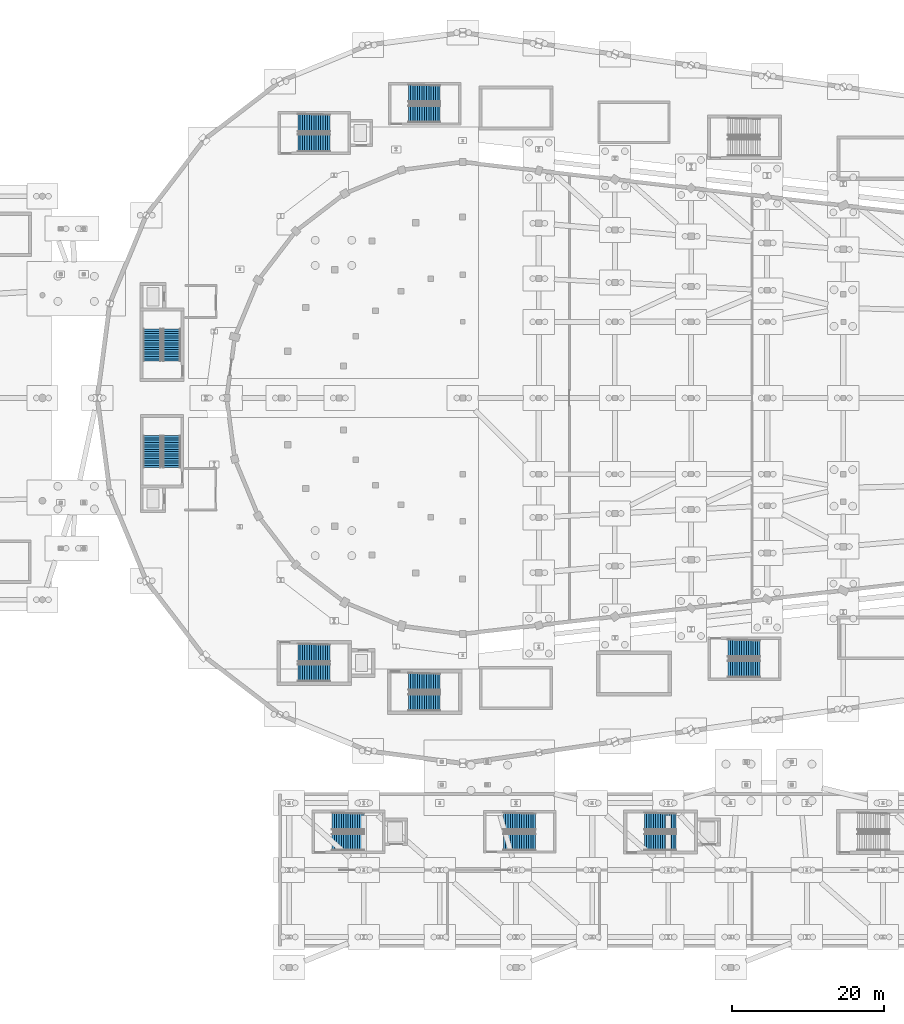
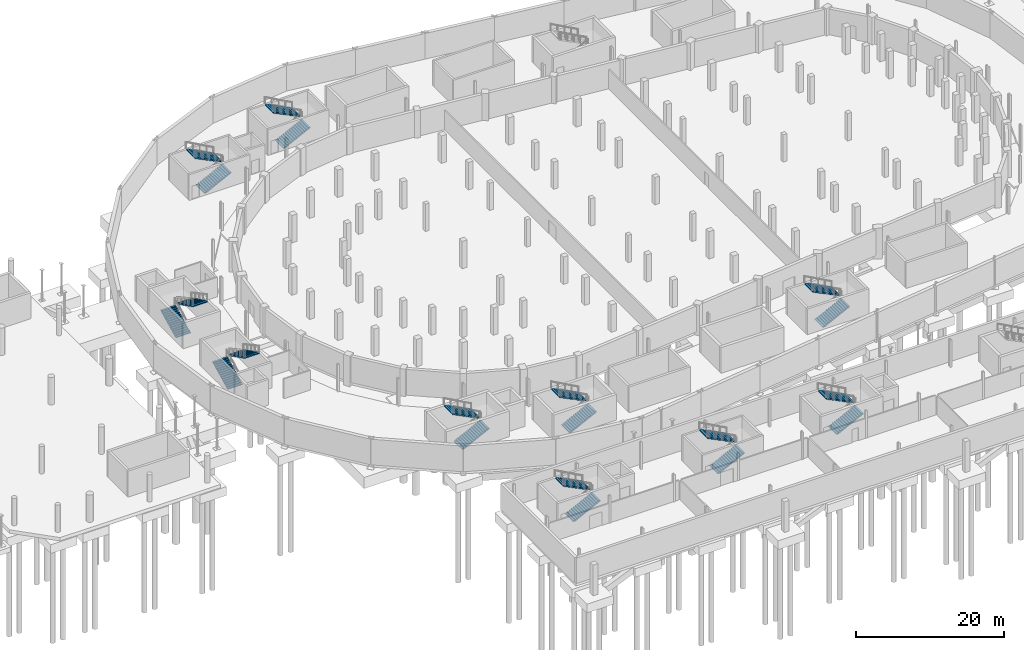
# One storey, part 51 of 55: 20 stair flights, 10 elements without a shape of their own.
"""IFC4 building model written with IfcOpenShell, lengths in metres."""

from ifc_helpers import new_model, si_unit, direction, frame, origin, place, context, subcontext, project, spatial, polyline, outline, extrude, material, type_object, element, aggregate, save


model = new_model("IFC4")

# Units and contexts
model_context = context("Model", 3, precision=1e-05, world=origin(), true_north=direction((0.0, 1.0)))
body_context = subcontext(model_context, "Body", "Model", "MODEL_VIEW")
ifc_project = project(units=[si_unit("LENGTHUNIT", "METRE"), si_unit("AREAUNIT", "SQUARE_METRE"), si_unit("VOLUMEUNIT", "CUBIC_METRE"), si_unit("PLANEANGLEUNIT", "RADIAN"), si_unit("MASSUNIT", "GRAM", prefix="KILO")], contexts=[model_context])

# Site, building, storey
site_placement = place(None, origin())
site = spatial("IfcSite", under=ifc_project, at=site_placement, CompositionType="ELEMENT")
building_placement = place(site_placement, origin())
building = spatial("IfcBuilding", under=site, at=building_placement, Name="Sohan Crest Arena", CompositionType="ELEMENT")
storey_placement = place(building_placement, frame((0.0, 0.0, -4.5)))
storey = spatial("IfcBuildingStorey", under=building, at=storey_placement, Name="B1", CompositionType="ELEMENT", Elevation=-4.5)

# Stair, stair flights
ifc_material = material(Name="Concrete C40/50", Category="concrete")
stair_type_1 = type_object("IfcStairType", Name="ST-450W", PredefinedType="TWO_STRAIGHT_RUN_STAIR", material=ifc_material)
stair_1_placement = place(storey_placement, origin())
stair_1 = element("IfcStair", 1, at=stair_1_placement, inside=storey, type_object=stair_type_1, Name="Protected exit stair ST12-B1", PredefinedType="TWO_STRAIGHT_RUN_STAIR")
stair_flight_type_1 = type_object("IfcStairFlightType", Name="FL-220-15", PredefinedType="STRAIGHT", material=ifc_material)
stair_flight_1_placement = place(storey_placement, frame((103.35009765625, 19.64990234375, 0.0), z_axis=(0.0, 0.0, 1.0), x_axis=(1.0, 0.0, 0.0)))
stair_flight_1 = element("IfcStairFlight", 2, at=stair_flight_1_placement, type_object=stair_flight_type_1, Name="ST12-B1 flight 1", NumberOfRisers=15, NumberOfTreads=14, PredefinedType="STRAIGHT", RiserHeight=0.15, TreadLength=0.3, context=body_context, shape_type="SweptSolid", body=[
    extrude(outline(polyline([(0.0, 0.0), (0.0, 0.14990234375), (0.300048828125, 0.14990234375), (0.300048828125, 0.300048828125), (0.60009765625, 0.300048828125), (0.60009765625, 0.449951171875), (0.89990234375, 0.449951171875), (0.89990234375, 0.60009765625), (1.199951171875, 0.60009765625), (1.199951171875, 0.75), (1.5, 0.75), (1.5, 0.89990234375), (1.800048828125, 0.89990234375), (1.800048828125, 1.050048828125), (2.10009765625, 1.050048828125), (2.10009765625, 1.199951171875), (2.39990234375, 1.199951171875), (2.39990234375, 1.35009765625), (2.699951171875, 1.35009765625), (2.699951171875, 1.5), (3.0, 1.5), (3.0, 1.64990234375), (3.300048828125, 1.64990234375), (3.300048828125, 1.800048828125), (3.60009765625, 1.800048828125), (3.60009765625, 1.949951171875), (3.89990234375, 1.949951171875), (3.89990234375, 2.10009765625), (4.199951171875, 2.10009765625), (4.199951171875, 2.25), (4.199951171875, 1.932373046875), (0.335205078125, 0.0), (0.0, 0.0)])), frame((0.0, 1.10009765625, 0.0), z_axis=(0.0, -1.0, 0.0), x_axis=(1.0, 0.0, 0.0)), (0.0, 0.0, 1.0), 2.199951171875),
])
stair_flight_2_placement = place(storey_placement, frame((107.550048828125, 22.35009765625, 2.25), z_axis=(0.0, 0.0, 1.0), x_axis=(-1.0, 0.0, 0.0)))
stair_flight_2 = element("IfcStairFlight", 3, at=stair_flight_2_placement, type_object=stair_flight_type_1, Name="ST12-B1 flight 2", NumberOfRisers=15, NumberOfTreads=14, PredefinedType="STRAIGHT", RiserHeight=0.15, TreadLength=0.3, context=body_context, shape_type="SweptSolid", body=[
    extrude(outline(polyline([(0.0, 0.0), (0.0, 0.14990234375), (0.300048828125, 0.14990234375), (0.300048828125, 0.300048828125), (0.60009765625, 0.300048828125), (0.60009765625, 0.449951171875), (0.89990234375, 0.449951171875), (0.89990234375, 0.60009765625), (1.199951171875, 0.60009765625), (1.199951171875, 0.75), (1.5, 0.75), (1.5, 0.89990234375), (1.800048828125, 0.89990234375), (1.800048828125, 1.050048828125), (2.10009765625, 1.050048828125), (2.10009765625, 1.199951171875), (2.39990234375, 1.199951171875), (2.39990234375, 1.35009765625), (2.699951171875, 1.35009765625), (2.699951171875, 1.5), (3.0, 1.5), (3.0, 1.64990234375), (3.300048828125, 1.64990234375), (3.300048828125, 1.800048828125), (3.60009765625, 1.800048828125), (3.60009765625, 1.949951171875), (3.89990234375, 1.949951171875), (3.89990234375, 2.10009765625), (4.199951171875, 2.10009765625), (4.199951171875, 2.25), (4.199951171875, 1.932373046875), (0.335205078125, 0.0), (0.0, 0.0)])), frame((0.0, 1.10009765625, 0.0), z_axis=(0.0, -1.0, 0.0), x_axis=(1.0, 0.0, 0.0)), (0.0, 0.0, 1.0), 2.199951171875),
])
aggregate(stair_1, [stair_flight_1, stair_flight_2])

stair_2_placement = place(storey_placement, origin())
stair_2 = element("IfcStair", 4, at=stair_2_placement, inside=storey, type_object=stair_type_1, Name="Protected exit stair ST17-B1", PredefinedType="TWO_STRAIGHT_RUN_STAIR")
stair_flight_3_placement = place(storey_placement, frame((80.85009765625, 19.64990234375, 0.0), z_axis=(0.0, 0.0, 1.0), x_axis=(1.0, 0.0, 0.0)))
stair_flight_3 = element("IfcStairFlight", 5, at=stair_flight_3_placement, type_object=stair_flight_type_1, Name="ST17-B1 flight 1", NumberOfRisers=15, NumberOfTreads=14, PredefinedType="STRAIGHT", RiserHeight=0.15, TreadLength=0.3, context=body_context, shape_type="SweptSolid", body=[
    extrude(outline(polyline([(0.0, 0.0), (0.0, 0.14990234375), (0.300048828125, 0.14990234375), (0.300048828125, 0.300048828125), (0.60009765625, 0.300048828125), (0.60009765625, 0.449951171875), (0.89990234375, 0.449951171875), (0.89990234375, 0.60009765625), (1.199951171875, 0.60009765625), (1.199951171875, 0.75), (1.5, 0.75), (1.5, 0.89990234375), (1.800048828125, 0.89990234375), (1.800048828125, 1.050048828125), (2.10009765625, 1.050048828125), (2.10009765625, 1.199951171875), (2.39990234375, 1.199951171875), (2.39990234375, 1.35009765625), (2.699951171875, 1.35009765625), (2.699951171875, 1.5), (3.0, 1.5), (3.0, 1.64990234375), (3.300048828125, 1.64990234375), (3.300048828125, 1.800048828125), (3.60009765625, 1.800048828125), (3.60009765625, 1.949951171875), (3.89990234375, 1.949951171875), (3.89990234375, 2.10009765625), (4.199951171875, 2.10009765625), (4.199951171875, 2.25), (4.199951171875, 1.932373046875), (0.335205078125, 0.0), (0.0, 0.0)])), frame((0.0, 1.10009765625, 0.0), z_axis=(0.0, -1.0, 0.0), x_axis=(1.0, 0.0, 0.0)), (0.0, 0.0, 1.0), 2.199951171875),
])
stair_flight_4_placement = place(storey_placement, frame((85.050048828125, 22.35009765625, 2.25), z_axis=(0.0, 0.0, 1.0), x_axis=(-1.0, 0.0, 0.0)))
stair_flight_4 = element("IfcStairFlight", 6, at=stair_flight_4_placement, type_object=stair_flight_type_1, Name="ST17-B1 flight 2", NumberOfRisers=15, NumberOfTreads=14, PredefinedType="STRAIGHT", RiserHeight=0.15, TreadLength=0.3, context=body_context, shape_type="SweptSolid", body=[
    extrude(outline(polyline([(0.0, 0.0), (0.0, 0.14990234375), (0.300048828125, 0.14990234375), (0.300048828125, 0.300048828125), (0.60009765625, 0.300048828125), (0.60009765625, 0.449951171875), (0.89990234375, 0.449951171875), (0.89990234375, 0.60009765625), (1.199951171875, 0.60009765625), (1.199951171875, 0.75), (1.5, 0.75), (1.5, 0.89990234375), (1.800048828125, 0.89990234375), (1.800048828125, 1.050048828125), (2.10009765625, 1.050048828125), (2.10009765625, 1.199951171875), (2.39990234375, 1.199951171875), (2.39990234375, 1.35009765625), (2.699951171875, 1.35009765625), (2.699951171875, 1.5), (3.0, 1.5), (3.0, 1.64990234375), (3.300048828125, 1.64990234375), (3.300048828125, 1.800048828125), (3.60009765625, 1.800048828125), (3.60009765625, 1.949951171875), (3.89990234375, 1.949951171875), (3.89990234375, 2.10009765625), (4.199951171875, 2.10009765625), (4.199951171875, 2.25), (4.199951171875, 1.932373046875), (0.335205078125, 0.0), (0.0, 0.0)])), frame((0.0, 1.10009765625, 0.0), z_axis=(0.0, -1.0, 0.0), x_axis=(1.0, 0.0, 0.0)), (0.0, 0.0, 1.0), 2.199951171875),
])
aggregate(stair_2, [stair_flight_3, stair_flight_4])

stair_3_placement = place(storey_placement, origin())
stair_3 = element("IfcStair", 7, at=stair_3_placement, inside=storey, type_object=stair_type_1, Name="Protected exit stair ST18-B1", PredefinedType="TWO_STRAIGHT_RUN_STAIR")
stair_flight_5_placement = place(storey_placement, frame((121.85009765625, 19.64990234375, 0.0), z_axis=(0.0, 0.0, 1.0), x_axis=(1.0, 0.0, 0.0)))
stair_flight_5 = element("IfcStairFlight", 8, at=stair_flight_5_placement, type_object=stair_flight_type_1, Name="ST18-B1 flight 1", NumberOfRisers=15, NumberOfTreads=14, PredefinedType="STRAIGHT", RiserHeight=0.15, TreadLength=0.3, context=body_context, shape_type="SweptSolid", body=[
    extrude(outline(polyline([(0.0, 0.0), (0.0, 0.14990234375), (0.300048828125, 0.14990234375), (0.300048828125, 0.300048828125), (0.60009765625, 0.300048828125), (0.60009765625, 0.449951171875), (0.89990234375, 0.449951171875), (0.89990234375, 0.60009765625), (1.199951171875, 0.60009765625), (1.199951171875, 0.75), (1.5, 0.75), (1.5, 0.89990234375), (1.800048828125, 0.89990234375), (1.800048828125, 1.050048828125), (2.10009765625, 1.050048828125), (2.10009765625, 1.199951171875), (2.39990234375, 1.199951171875), (2.39990234375, 1.35009765625), (2.699951171875, 1.35009765625), (2.699951171875, 1.5), (3.0, 1.5), (3.0, 1.64990234375), (3.300048828125, 1.64990234375), (3.300048828125, 1.800048828125), (3.60009765625, 1.800048828125), (3.60009765625, 1.949951171875), (3.89990234375, 1.949951171875), (3.89990234375, 2.10009765625), (4.199951171875, 2.10009765625), (4.199951171875, 2.25), (4.199951171875, 1.932373046875), (0.335205078125, 0.0), (0.0, 0.0)])), frame((0.0, 1.10009765625, 0.0), z_axis=(0.0, -1.0, 0.0), x_axis=(1.0, 0.0, 0.0)), (0.0, 0.0, 1.0), 2.199951171875),
])
stair_flight_6_placement = place(storey_placement, frame((126.050048828125, 22.35009765625, 2.25), z_axis=(0.0, 0.0, 1.0), x_axis=(-1.0, 0.0, 0.0)))
stair_flight_6 = element("IfcStairFlight", 9, at=stair_flight_6_placement, type_object=stair_flight_type_1, Name="ST18-B1 flight 2", NumberOfRisers=15, NumberOfTreads=14, PredefinedType="STRAIGHT", RiserHeight=0.15, TreadLength=0.3, context=body_context, shape_type="SweptSolid", body=[
    extrude(outline(polyline([(0.0, 0.0), (0.0, 0.14990234375), (0.300048828125, 0.14990234375), (0.300048828125, 0.300048828125), (0.60009765625, 0.300048828125), (0.60009765625, 0.449951171875), (0.89990234375, 0.449951171875), (0.89990234375, 0.60009765625), (1.199951171875, 0.60009765625), (1.199951171875, 0.75), (1.5, 0.75), (1.5, 0.89990234375), (1.800048828125, 0.89990234375), (1.800048828125, 1.050048828125), (2.10009765625, 1.050048828125), (2.10009765625, 1.199951171875), (2.39990234375, 1.199951171875), (2.39990234375, 1.35009765625), (2.699951171875, 1.35009765625), (2.699951171875, 1.5), (3.0, 1.5), (3.0, 1.64990234375), (3.300048828125, 1.64990234375), (3.300048828125, 1.800048828125), (3.60009765625, 1.800048828125), (3.60009765625, 1.949951171875), (3.89990234375, 1.949951171875), (3.89990234375, 2.10009765625), (4.199951171875, 2.10009765625), (4.199951171875, 2.25), (4.199951171875, 1.932373046875), (0.335205078125, 0.0), (0.0, 0.0)])), frame((0.0, 1.10009765625, 0.0), z_axis=(0.0, -1.0, 0.0), x_axis=(1.0, 0.0, 0.0)), (0.0, 0.0, 1.0), 2.199951171875),
])
aggregate(stair_3, [stair_flight_5, stair_flight_6])

stair_4_placement = place(storey_placement, origin())
stair_4 = element("IfcStair", 10, at=stair_4_placement, inside=storey, type_object=stair_type_1, Name="Protected exit stair ST19-B1", PredefinedType="TWO_STRAIGHT_RUN_STAIR")
stair_flight_7_placement = place(storey_placement, frame((90.85009765625, 38.010009765625, 0.0), z_axis=(0.0, 0.0, 1.0), x_axis=(1.0, 0.0, 0.0)))
stair_flight_7 = element("IfcStairFlight", 11, at=stair_flight_7_placement, type_object=stair_flight_type_1, Name="ST19-B1 flight 1", NumberOfRisers=15, NumberOfTreads=14, PredefinedType="STRAIGHT", RiserHeight=0.15, TreadLength=0.3, context=body_context, shape_type="SweptSolid", body=[
    extrude(outline(polyline([(0.0, 0.0), (0.0, 0.14990234375), (0.300048828125, 0.14990234375), (0.300048828125, 0.300048828125), (0.60009765625, 0.300048828125), (0.60009765625, 0.449951171875), (0.89990234375, 0.449951171875), (0.89990234375, 0.60009765625), (1.199951171875, 0.60009765625), (1.199951171875, 0.75), (1.5, 0.75), (1.5, 0.89990234375), (1.800048828125, 0.89990234375), (1.800048828125, 1.050048828125), (2.10009765625, 1.050048828125), (2.10009765625, 1.199951171875), (2.39990234375, 1.199951171875), (2.39990234375, 1.35009765625), (2.699951171875, 1.35009765625), (2.699951171875, 1.5), (3.0, 1.5), (3.0, 1.64990234375), (3.300048828125, 1.64990234375), (3.300048828125, 1.800048828125), (3.60009765625, 1.800048828125), (3.60009765625, 1.949951171875), (3.89990234375, 1.949951171875), (3.89990234375, 2.10009765625), (4.199951171875, 2.10009765625), (4.199951171875, 2.25), (4.199951171875, 1.932373046875), (0.335205078125, 0.0), (0.0, 0.0)])), frame((0.0, 1.10009765625, 0.0), z_axis=(0.0, -1.0, 0.0), x_axis=(1.0, 0.0, 0.0)), (0.0, 0.0, 1.0), 2.199951171875),
])
stair_flight_8_placement = place(storey_placement, frame((95.050048828125, 40.7099609375, 2.25), z_axis=(0.0, 0.0, 1.0), x_axis=(-1.0, 0.0, 0.0)))
stair_flight_8 = element("IfcStairFlight", 12, at=stair_flight_8_placement, type_object=stair_flight_type_1, Name="ST19-B1 flight 2", NumberOfRisers=15, NumberOfTreads=14, PredefinedType="STRAIGHT", RiserHeight=0.15, TreadLength=0.3, context=body_context, shape_type="SweptSolid", body=[
    extrude(outline(polyline([(0.0, 0.0), (0.0, 0.14990234375), (0.300048828125, 0.14990234375), (0.300048828125, 0.300048828125), (0.60009765625, 0.300048828125), (0.60009765625, 0.449951171875), (0.89990234375, 0.449951171875), (0.89990234375, 0.60009765625), (1.199951171875, 0.60009765625), (1.199951171875, 0.75), (1.5, 0.75), (1.5, 0.89990234375), (1.800048828125, 0.89990234375), (1.800048828125, 1.050048828125), (2.10009765625, 1.050048828125), (2.10009765625, 1.199951171875), (2.39990234375, 1.199951171875), (2.39990234375, 1.35009765625), (2.699951171875, 1.35009765625), (2.699951171875, 1.5), (3.0, 1.5), (3.0, 1.64990234375), (3.300048828125, 1.64990234375), (3.300048828125, 1.800048828125), (3.60009765625, 1.800048828125), (3.60009765625, 1.949951171875), (3.89990234375, 1.949951171875), (3.89990234375, 2.10009765625), (4.199951171875, 2.10009765625), (4.199951171875, 2.25), (4.199951171875, 1.932373046875), (0.335205078125, 0.0), (0.0, 0.0)])), frame((0.0, 1.10009765625, 0.0), z_axis=(0.0, -1.0, 0.0), x_axis=(1.0, 0.0, 0.0)), (0.0, 0.0, 1.0), 2.199951171875),
])
aggregate(stair_4, [stair_flight_7, stair_flight_8])

stair_5_placement = place(storey_placement, origin())
stair_5 = element("IfcStair", 13, at=stair_5_placement, inside=storey, type_object=stair_type_1, Name="Protected exit stair ST20-B1", PredefinedType="TWO_STRAIGHT_RUN_STAIR")
stair_flight_9_placement = place(storey_placement, frame((90.85009765625, 115.2900390625, 0.0), z_axis=(0.0, 0.0, 1.0), x_axis=(1.0, 0.0, 0.0)))
stair_flight_9 = element("IfcStairFlight", 14, at=stair_flight_9_placement, type_object=stair_flight_type_1, Name="ST20-B1 flight 1", NumberOfRisers=15, NumberOfTreads=14, PredefinedType="STRAIGHT", RiserHeight=0.15, TreadLength=0.3, context=body_context, shape_type="SweptSolid", body=[
    extrude(outline(polyline([(0.0, 0.0), (0.0, 0.14990234375), (0.300048828125, 0.14990234375), (0.300048828125, 0.300048828125), (0.60009765625, 0.300048828125), (0.60009765625, 0.449951171875), (0.89990234375, 0.449951171875), (0.89990234375, 0.60009765625), (1.199951171875, 0.60009765625), (1.199951171875, 0.75), (1.5, 0.75), (1.5, 0.89990234375), (1.800048828125, 0.89990234375), (1.800048828125, 1.050048828125), (2.10009765625, 1.050048828125), (2.10009765625, 1.199951171875), (2.39990234375, 1.199951171875), (2.39990234375, 1.35009765625), (2.699951171875, 1.35009765625), (2.699951171875, 1.5), (3.0, 1.5), (3.0, 1.64990234375), (3.300048828125, 1.64990234375), (3.300048828125, 1.800048828125), (3.60009765625, 1.800048828125), (3.60009765625, 1.949951171875), (3.89990234375, 1.949951171875), (3.89990234375, 2.10009765625), (4.199951171875, 2.10009765625), (4.199951171875, 2.25), (4.199951171875, 1.932373046875), (0.335205078125, 0.0), (0.0, 0.0)])), frame((0.0, 1.10009765625, 0.0), z_axis=(0.0, -1.0, 0.0), x_axis=(1.0, 0.0, 0.0)), (0.0, 0.0, 1.0), 2.199951171875),
])
stair_flight_10_placement = place(storey_placement, frame((95.050048828125, 117.989990234375, 2.25), z_axis=(0.0, 0.0, 1.0), x_axis=(-1.0, 0.0, 0.0)))
stair_flight_10 = element("IfcStairFlight", 15, at=stair_flight_10_placement, type_object=stair_flight_type_1, Name="ST20-B1 flight 2", NumberOfRisers=15, NumberOfTreads=14, PredefinedType="STRAIGHT", RiserHeight=0.15, TreadLength=0.3, context=body_context, shape_type="SweptSolid", body=[
    extrude(outline(polyline([(0.0, 0.0), (0.0, 0.14990234375), (0.300048828125, 0.14990234375), (0.300048828125, 0.300048828125), (0.60009765625, 0.300048828125), (0.60009765625, 0.449951171875), (0.89990234375, 0.449951171875), (0.89990234375, 0.60009765625), (1.199951171875, 0.60009765625), (1.199951171875, 0.75), (1.5, 0.75), (1.5, 0.89990234375), (1.800048828125, 0.89990234375), (1.800048828125, 1.050048828125), (2.10009765625, 1.050048828125), (2.10009765625, 1.199951171875), (2.39990234375, 1.199951171875), (2.39990234375, 1.35009765625), (2.699951171875, 1.35009765625), (2.699951171875, 1.5), (3.0, 1.5), (3.0, 1.64990234375), (3.300048828125, 1.64990234375), (3.300048828125, 1.800048828125), (3.60009765625, 1.800048828125), (3.60009765625, 1.949951171875), (3.89990234375, 1.949951171875), (3.89990234375, 2.10009765625), (4.199951171875, 2.10009765625), (4.199951171875, 2.25), (4.199951171875, 1.932373046875), (0.335205078125, 0.0), (0.0, 0.0)])), frame((0.0, 1.10009765625, 0.0), z_axis=(0.0, -1.0, 0.0), x_axis=(1.0, 0.0, 0.0)), (0.0, 0.0, 1.0), 2.199951171875),
])
aggregate(stair_5, [stair_flight_9, stair_flight_10])

stair_6_placement = place(storey_placement, origin())
stair_6 = element("IfcStair", 16, at=stair_6_placement, inside=storey, type_object=stair_type_1, Name="Protected exit stair ST21-B1", PredefinedType="TWO_STRAIGHT_RUN_STAIR")
stair_flight_11_placement = place(storey_placement, frame((132.85009765625, 42.39990234375, 0.0), z_axis=(0.0, 0.0, 1.0), x_axis=(1.0, 0.0, 0.0)))
stair_flight_11 = element("IfcStairFlight", 17, at=stair_flight_11_placement, type_object=stair_flight_type_1, Name="ST21-B1 flight 1", NumberOfRisers=15, NumberOfTreads=14, PredefinedType="STRAIGHT", RiserHeight=0.15, TreadLength=0.3, context=body_context, shape_type="SweptSolid", body=[
    extrude(outline(polyline([(0.0, 0.0), (0.0, 0.14990234375), (0.300048828125, 0.14990234375), (0.300048828125, 0.300048828125), (0.60009765625, 0.300048828125), (0.60009765625, 0.449951171875), (0.89990234375, 0.449951171875), (0.89990234375, 0.60009765625), (1.199951171875, 0.60009765625), (1.199951171875, 0.75), (1.5, 0.75), (1.5, 0.89990234375), (1.800048828125, 0.89990234375), (1.800048828125, 1.050048828125), (2.10009765625, 1.050048828125), (2.10009765625, 1.199951171875), (2.39990234375, 1.199951171875), (2.39990234375, 1.35009765625), (2.699951171875, 1.35009765625), (2.699951171875, 1.5), (3.0, 1.5), (3.0, 1.64990234375), (3.300048828125, 1.64990234375), (3.300048828125, 1.800048828125), (3.60009765625, 1.800048828125), (3.60009765625, 1.949951171875), (3.89990234375, 1.949951171875), (3.89990234375, 2.10009765625), (4.199951171875, 2.10009765625), (4.199951171875, 2.25), (4.199951171875, 1.932373046875), (0.335205078125, 0.0), (0.0, 0.0)])), frame((0.0, 1.10009765625, 0.0), z_axis=(0.0, -1.0, 0.0), x_axis=(1.0, 0.0, 0.0)), (0.0, 0.0, 1.0), 2.199951171875),
])
stair_flight_12_placement = place(storey_placement, frame((137.050048828125, 45.10009765625, 2.25), z_axis=(0.0, 0.0, 1.0), x_axis=(-1.0, 0.0, 0.0)))
stair_flight_12 = element("IfcStairFlight", 18, at=stair_flight_12_placement, type_object=stair_flight_type_1, Name="ST21-B1 flight 2", NumberOfRisers=15, NumberOfTreads=14, PredefinedType="STRAIGHT", RiserHeight=0.15, TreadLength=0.3, context=body_context, shape_type="SweptSolid", body=[
    extrude(outline(polyline([(0.0, 0.0), (0.0, 0.14990234375), (0.300048828125, 0.14990234375), (0.300048828125, 0.300048828125), (0.60009765625, 0.300048828125), (0.60009765625, 0.449951171875), (0.89990234375, 0.449951171875), (0.89990234375, 0.60009765625), (1.199951171875, 0.60009765625), (1.199951171875, 0.75), (1.5, 0.75), (1.5, 0.89990234375), (1.800048828125, 0.89990234375), (1.800048828125, 1.050048828125), (2.10009765625, 1.050048828125), (2.10009765625, 1.199951171875), (2.39990234375, 1.199951171875), (2.39990234375, 1.35009765625), (2.699951171875, 1.35009765625), (2.699951171875, 1.5), (3.0, 1.5), (3.0, 1.64990234375), (3.300048828125, 1.64990234375), (3.300048828125, 1.800048828125), (3.60009765625, 1.800048828125), (3.60009765625, 1.949951171875), (3.89990234375, 1.949951171875), (3.89990234375, 2.10009765625), (4.199951171875, 2.10009765625), (4.199951171875, 2.25), (4.199951171875, 1.932373046875), (0.335205078125, 0.0), (0.0, 0.0)])), frame((0.0, 1.10009765625, 0.0), z_axis=(0.0, -1.0, 0.0), x_axis=(1.0, 0.0, 0.0)), (0.0, 0.0, 1.0), 2.199951171875),
])
aggregate(stair_6, [stair_flight_11, stair_flight_12])

stair_type_2 = type_object("IfcStairType", Name="ST-450", PredefinedType="TWO_STRAIGHT_RUN_STAIR", material=ifc_material)
stair_7_placement = place(storey_placement, origin())
stair_7 = element("IfcStair", 19, at=stair_7_placement, inside=storey, type_object=stair_type_2, Name="Protected exit stair ST01-B1", PredefinedType="TWO_STRAIGHT_RUN_STAIR")
stair_flight_type_2 = type_object("IfcStairFlightType", Name="FL-260-15", PredefinedType="STRAIGHT", material=ifc_material)
stair_flight_13_placement = place(storey_placement, frame((57.199951171875, 68.85009765625, 0.0), z_axis=(0.0, 0.0, 1.0), x_axis=(0.0, 1.0, 0.0)))
stair_flight_13 = element("IfcStairFlight", 20, at=stair_flight_13_placement, type_object=stair_flight_type_2, Name="ST01-B1 flight 1", NumberOfRisers=15, NumberOfTreads=14, PredefinedType="STRAIGHT", RiserHeight=0.15, TreadLength=0.3, context=body_context, shape_type="SweptSolid", body=[
    extrude(outline(polyline([(0.0, 0.0), (0.0, 0.14990234375), (0.300048828125, 0.14990234375), (0.300048828125, 0.300048828125), (0.60009765625, 0.300048828125), (0.60009765625, 0.449951171875), (0.89990234375, 0.449951171875), (0.89990234375, 0.60009765625), (1.199951171875, 0.60009765625), (1.199951171875, 0.75), (1.5, 0.75), (1.5, 0.89990234375), (1.800048828125, 0.89990234375), (1.800048828125, 1.050048828125), (2.10009765625, 1.050048828125), (2.10009765625, 1.199951171875), (2.39990234375, 1.199951171875), (2.39990234375, 1.35009765625), (2.699951171875, 1.35009765625), (2.699951171875, 1.5), (3.0, 1.5), (3.0, 1.64990234375), (3.300048828125, 1.64990234375), (3.300048828125, 1.800048828125), (3.60009765625, 1.800048828125), (3.60009765625, 1.949951171875), (3.89990234375, 1.949951171875), (3.89990234375, 2.10009765625), (4.199951171875, 2.10009765625), (4.199951171875, 2.25), (4.199951171875, 1.932373046875), (0.335205078125, 0.0), (0.0, 0.0)])), frame((0.0, 1.14990234375, 0.0), z_axis=(0.0, -1.0, 0.0), x_axis=(1.0, 0.0, 0.0)), (0.0, 0.0, 1.0), 2.300048828125),
])
stair_flight_14_placement = place(storey_placement, frame((59.800048828125, 73.050048828125, 2.25), z_axis=(0.0, 0.0, 1.0), x_axis=(0.0, -1.0, 0.0)))
stair_flight_14 = element("IfcStairFlight", 21, at=stair_flight_14_placement, type_object=stair_flight_type_2, Name="ST01-B1 flight 2", NumberOfRisers=15, NumberOfTreads=14, PredefinedType="STRAIGHT", RiserHeight=0.15, TreadLength=0.3, context=body_context, shape_type="SweptSolid", body=[
    extrude(outline(polyline([(0.0, 0.0), (0.0, 0.14990234375), (0.300048828125, 0.14990234375), (0.300048828125, 0.300048828125), (0.60009765625, 0.300048828125), (0.60009765625, 0.449951171875), (0.89990234375, 0.449951171875), (0.89990234375, 0.60009765625), (1.199951171875, 0.60009765625), (1.199951171875, 0.75), (1.5, 0.75), (1.5, 0.89990234375), (1.800048828125, 0.89990234375), (1.800048828125, 1.050048828125), (2.10009765625, 1.050048828125), (2.10009765625, 1.199951171875), (2.39990234375, 1.199951171875), (2.39990234375, 1.35009765625), (2.699951171875, 1.35009765625), (2.699951171875, 1.5), (3.0, 1.5), (3.0, 1.64990234375), (3.300048828125, 1.64990234375), (3.300048828125, 1.800048828125), (3.60009765625, 1.800048828125), (3.60009765625, 1.949951171875), (3.89990234375, 1.949951171875), (3.89990234375, 2.10009765625), (4.199951171875, 2.10009765625), (4.199951171875, 2.25), (4.199951171875, 1.932373046875), (0.335205078125, 0.0), (0.0, 0.0)])), frame((0.0, 1.14990234375, 0.0), z_axis=(0.0, -1.0, 0.0), x_axis=(1.0, 0.0, 0.0)), (0.0, 0.0, 1.0), 2.300048828125),
])
aggregate(stair_7, [stair_flight_13, stair_flight_14])

stair_8_placement = place(storey_placement, origin())
stair_8 = element("IfcStair", 22, at=stair_8_placement, inside=storey, type_object=stair_type_2, Name="Protected exit stair ST02-B1", PredefinedType="TWO_STRAIGHT_RUN_STAIR")
stair_flight_15_placement = place(storey_placement, frame((57.199951171875, 82.85009765625, 0.0), z_axis=(0.0, 0.0, 1.0), x_axis=(0.0, 1.0, 0.0)))
stair_flight_15 = element("IfcStairFlight", 23, at=stair_flight_15_placement, type_object=stair_flight_type_2, Name="ST02-B1 flight 1", NumberOfRisers=15, NumberOfTreads=14, PredefinedType="STRAIGHT", RiserHeight=0.15, TreadLength=0.3, context=body_context, shape_type="SweptSolid", body=[
    extrude(outline(polyline([(0.0, 0.0), (0.0, 0.14990234375), (0.300048828125, 0.14990234375), (0.300048828125, 0.300048828125), (0.60009765625, 0.300048828125), (0.60009765625, 0.449951171875), (0.89990234375, 0.449951171875), (0.89990234375, 0.60009765625), (1.199951171875, 0.60009765625), (1.199951171875, 0.75), (1.5, 0.75), (1.5, 0.89990234375), (1.800048828125, 0.89990234375), (1.800048828125, 1.050048828125), (2.10009765625, 1.050048828125), (2.10009765625, 1.199951171875), (2.39990234375, 1.199951171875), (2.39990234375, 1.35009765625), (2.699951171875, 1.35009765625), (2.699951171875, 1.5), (3.0, 1.5), (3.0, 1.64990234375), (3.300048828125, 1.64990234375), (3.300048828125, 1.800048828125), (3.60009765625, 1.800048828125), (3.60009765625, 1.949951171875), (3.89990234375, 1.949951171875), (3.89990234375, 2.10009765625), (4.199951171875, 2.10009765625), (4.199951171875, 2.25), (4.199951171875, 1.932373046875), (0.335205078125, 0.0), (0.0, 0.0)])), frame((0.0, 1.14990234375, 0.0), z_axis=(0.0, -1.0, 0.0), x_axis=(1.0, 0.0, 0.0)), (0.0, 0.0, 1.0), 2.300048828125),
])
stair_flight_16_placement = place(storey_placement, frame((59.800048828125, 87.050048828125, 2.25), z_axis=(0.0, 0.0, 1.0), x_axis=(0.0, -1.0, 0.0)))
stair_flight_16 = element("IfcStairFlight", 24, at=stair_flight_16_placement, type_object=stair_flight_type_2, Name="ST02-B1 flight 2", NumberOfRisers=15, NumberOfTreads=14, PredefinedType="STRAIGHT", RiserHeight=0.15, TreadLength=0.3, context=body_context, shape_type="SweptSolid", body=[
    extrude(outline(polyline([(0.0, 0.0), (0.0, 0.14990234375), (0.300048828125, 0.14990234375), (0.300048828125, 0.300048828125), (0.60009765625, 0.300048828125), (0.60009765625, 0.449951171875), (0.89990234375, 0.449951171875), (0.89990234375, 0.60009765625), (1.199951171875, 0.60009765625), (1.199951171875, 0.75), (1.5, 0.75), (1.5, 0.89990234375), (1.800048828125, 0.89990234375), (1.800048828125, 1.050048828125), (2.10009765625, 1.050048828125), (2.10009765625, 1.199951171875), (2.39990234375, 1.199951171875), (2.39990234375, 1.35009765625), (2.699951171875, 1.35009765625), (2.699951171875, 1.5), (3.0, 1.5), (3.0, 1.64990234375), (3.300048828125, 1.64990234375), (3.300048828125, 1.800048828125), (3.60009765625, 1.800048828125), (3.60009765625, 1.949951171875), (3.89990234375, 1.949951171875), (3.89990234375, 2.10009765625), (4.199951171875, 2.10009765625), (4.199951171875, 2.25), (4.199951171875, 1.932373046875), (0.335205078125, 0.0), (0.0, 0.0)])), frame((0.0, 1.14990234375, 0.0), z_axis=(0.0, -1.0, 0.0), x_axis=(1.0, 0.0, 0.0)), (0.0, 0.0, 1.0), 2.300048828125),
])
aggregate(stair_8, [stair_flight_15, stair_flight_16])

stair_9_placement = place(storey_placement, origin())
stair_9 = element("IfcStair", 25, at=stair_9_placement, inside=storey, type_object=stair_type_2, Name="Protected exit stair ST03-B1", PredefinedType="TWO_STRAIGHT_RUN_STAIR")
stair_flight_17_placement = place(storey_placement, frame((76.35009765625, 41.89990234375, 0.0), z_axis=(0.0, 0.0, 1.0), x_axis=(1.0, 0.0, 0.0)))
stair_flight_17 = element("IfcStairFlight", 26, at=stair_flight_17_placement, type_object=stair_flight_type_2, Name="ST03-B1 flight 1", NumberOfRisers=15, NumberOfTreads=14, PredefinedType="STRAIGHT", RiserHeight=0.15, TreadLength=0.3, context=body_context, shape_type="SweptSolid", body=[
    extrude(outline(polyline([(0.0, 0.0), (0.0, 0.14990234375), (0.300048828125, 0.14990234375), (0.300048828125, 0.300048828125), (0.60009765625, 0.300048828125), (0.60009765625, 0.449951171875), (0.89990234375, 0.449951171875), (0.89990234375, 0.60009765625), (1.199951171875, 0.60009765625), (1.199951171875, 0.75), (1.5, 0.75), (1.5, 0.89990234375), (1.800048828125, 0.89990234375), (1.800048828125, 1.050048828125), (2.10009765625, 1.050048828125), (2.10009765625, 1.199951171875), (2.39990234375, 1.199951171875), (2.39990234375, 1.35009765625), (2.699951171875, 1.35009765625), (2.699951171875, 1.5), (3.0, 1.5), (3.0, 1.64990234375), (3.300048828125, 1.64990234375), (3.300048828125, 1.800048828125), (3.60009765625, 1.800048828125), (3.60009765625, 1.949951171875), (3.89990234375, 1.949951171875), (3.89990234375, 2.10009765625), (4.199951171875, 2.10009765625), (4.199951171875, 2.25), (4.199951171875, 1.932373046875), (0.335205078125, 0.0), (0.0, 0.0)])), frame((0.0, 1.14990234375, 0.0), z_axis=(0.0, -1.0, 0.0), x_axis=(1.0, 0.0, 0.0)), (0.0, 0.0, 1.0), 2.300048828125),
])
stair_flight_18_placement = place(storey_placement, frame((80.550048828125, 44.5, 2.25), z_axis=(0.0, 0.0, 1.0), x_axis=(-1.0, 0.0, 0.0)))
stair_flight_18 = element("IfcStairFlight", 27, at=stair_flight_18_placement, type_object=stair_flight_type_2, Name="ST03-B1 flight 2", NumberOfRisers=15, NumberOfTreads=14, PredefinedType="STRAIGHT", RiserHeight=0.15, TreadLength=0.3, context=body_context, shape_type="SweptSolid", body=[
    extrude(outline(polyline([(0.0, 0.0), (0.0, 0.14990234375), (0.300048828125, 0.14990234375), (0.300048828125, 0.300048828125), (0.60009765625, 0.300048828125), (0.60009765625, 0.449951171875), (0.89990234375, 0.449951171875), (0.89990234375, 0.60009765625), (1.199951171875, 0.60009765625), (1.199951171875, 0.75), (1.5, 0.75), (1.5, 0.89990234375), (1.800048828125, 0.89990234375), (1.800048828125, 1.050048828125), (2.10009765625, 1.050048828125), (2.10009765625, 1.199951171875), (2.39990234375, 1.199951171875), (2.39990234375, 1.35009765625), (2.699951171875, 1.35009765625), (2.699951171875, 1.5), (3.0, 1.5), (3.0, 1.64990234375), (3.300048828125, 1.64990234375), (3.300048828125, 1.800048828125), (3.60009765625, 1.800048828125), (3.60009765625, 1.949951171875), (3.89990234375, 1.949951171875), (3.89990234375, 2.10009765625), (4.199951171875, 2.10009765625), (4.199951171875, 2.25), (4.199951171875, 1.932373046875), (0.335205078125, 0.0), (0.0, 0.0)])), frame((0.0, 1.14990234375, 0.0), z_axis=(0.0, -1.0, 0.0), x_axis=(1.0, 0.0, 0.0)), (0.0, 0.0, 1.0), 2.300048828125),
])
aggregate(stair_9, [stair_flight_17, stair_flight_18])

stair_10_placement = place(storey_placement, origin())
stair_10 = element("IfcStair", 28, at=stair_10_placement, inside=storey, type_object=stair_type_2, Name="Protected exit stair ST04-B1", PredefinedType="TWO_STRAIGHT_RUN_STAIR")
stair_flight_19_placement = place(storey_placement, frame((76.35009765625, 111.5, 0.0), z_axis=(0.0, 0.0, 1.0), x_axis=(1.0, 0.0, 0.0)))
stair_flight_19 = element("IfcStairFlight", 29, at=stair_flight_19_placement, type_object=stair_flight_type_2, Name="ST04-B1 flight 1", NumberOfRisers=15, NumberOfTreads=14, PredefinedType="STRAIGHT", RiserHeight=0.15, TreadLength=0.3, context=body_context, shape_type="SweptSolid", body=[
    extrude(outline(polyline([(0.0, 0.0), (0.0, 0.14990234375), (0.300048828125, 0.14990234375), (0.300048828125, 0.300048828125), (0.60009765625, 0.300048828125), (0.60009765625, 0.449951171875), (0.89990234375, 0.449951171875), (0.89990234375, 0.60009765625), (1.199951171875, 0.60009765625), (1.199951171875, 0.75), (1.5, 0.75), (1.5, 0.89990234375), (1.800048828125, 0.89990234375), (1.800048828125, 1.050048828125), (2.10009765625, 1.050048828125), (2.10009765625, 1.199951171875), (2.39990234375, 1.199951171875), (2.39990234375, 1.35009765625), (2.699951171875, 1.35009765625), (2.699951171875, 1.5), (3.0, 1.5), (3.0, 1.64990234375), (3.300048828125, 1.64990234375), (3.300048828125, 1.800048828125), (3.60009765625, 1.800048828125), (3.60009765625, 1.949951171875), (3.89990234375, 1.949951171875), (3.89990234375, 2.10009765625), (4.199951171875, 2.10009765625), (4.199951171875, 2.25), (4.199951171875, 1.932373046875), (0.335205078125, 0.0), (0.0, 0.0)])), frame((0.0, 1.14990234375, 0.0), z_axis=(0.0, -1.0, 0.0), x_axis=(1.0, 0.0, 0.0)), (0.0, 0.0, 1.0), 2.300048828125),
])
stair_flight_20_placement = place(storey_placement, frame((80.550048828125, 114.10009765625, 2.25), z_axis=(0.0, 0.0, 1.0), x_axis=(-1.0, 0.0, 0.0)))
stair_flight_20 = element("IfcStairFlight", 30, at=stair_flight_20_placement, type_object=stair_flight_type_2, Name="ST04-B1 flight 2", NumberOfRisers=15, NumberOfTreads=14, PredefinedType="STRAIGHT", RiserHeight=0.15, TreadLength=0.3, context=body_context, shape_type="SweptSolid", body=[
    extrude(outline(polyline([(0.0, 0.0), (0.0, 0.14990234375), (0.300048828125, 0.14990234375), (0.300048828125, 0.300048828125), (0.60009765625, 0.300048828125), (0.60009765625, 0.449951171875), (0.89990234375, 0.449951171875), (0.89990234375, 0.60009765625), (1.199951171875, 0.60009765625), (1.199951171875, 0.75), (1.5, 0.75), (1.5, 0.89990234375), (1.800048828125, 0.89990234375), (1.800048828125, 1.050048828125), (2.10009765625, 1.050048828125), (2.10009765625, 1.199951171875), (2.39990234375, 1.199951171875), (2.39990234375, 1.35009765625), (2.699951171875, 1.35009765625), (2.699951171875, 1.5), (3.0, 1.5), (3.0, 1.64990234375), (3.300048828125, 1.64990234375), (3.300048828125, 1.800048828125), (3.60009765625, 1.800048828125), (3.60009765625, 1.949951171875), (3.89990234375, 1.949951171875), (3.89990234375, 2.10009765625), (4.199951171875, 2.10009765625), (4.199951171875, 2.25), (4.199951171875, 1.932373046875), (0.335205078125, 0.0), (0.0, 0.0)])), frame((0.0, 1.14990234375, 0.0), z_axis=(0.0, -1.0, 0.0), x_axis=(1.0, 0.0, 0.0)), (0.0, 0.0, 1.0), 2.300048828125),
])
aggregate(stair_10, [stair_flight_19, stair_flight_20])

save(model, "model.ifc")
